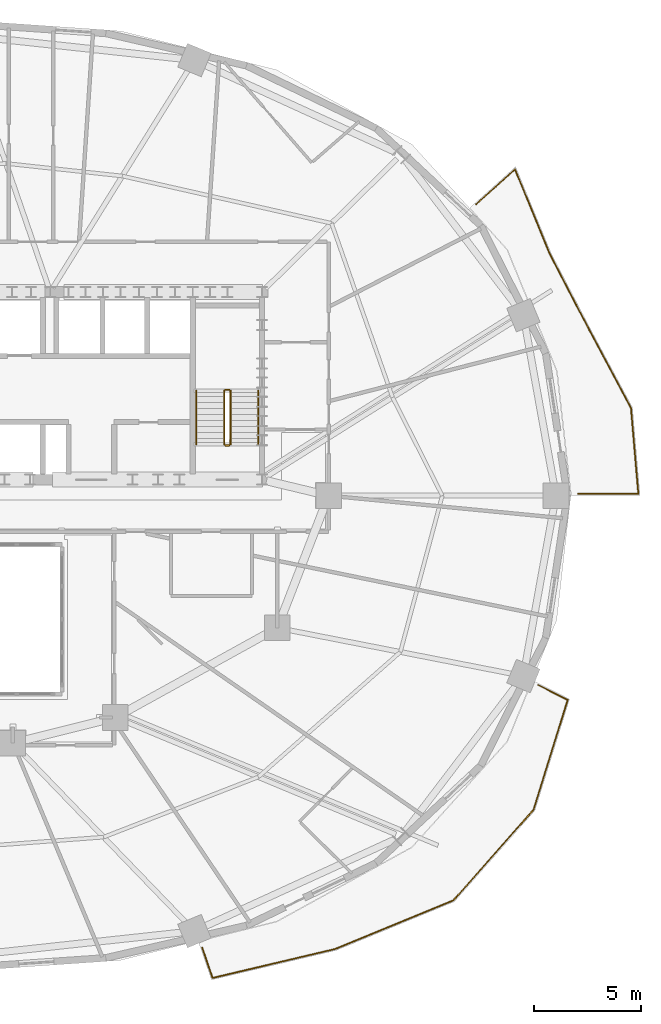
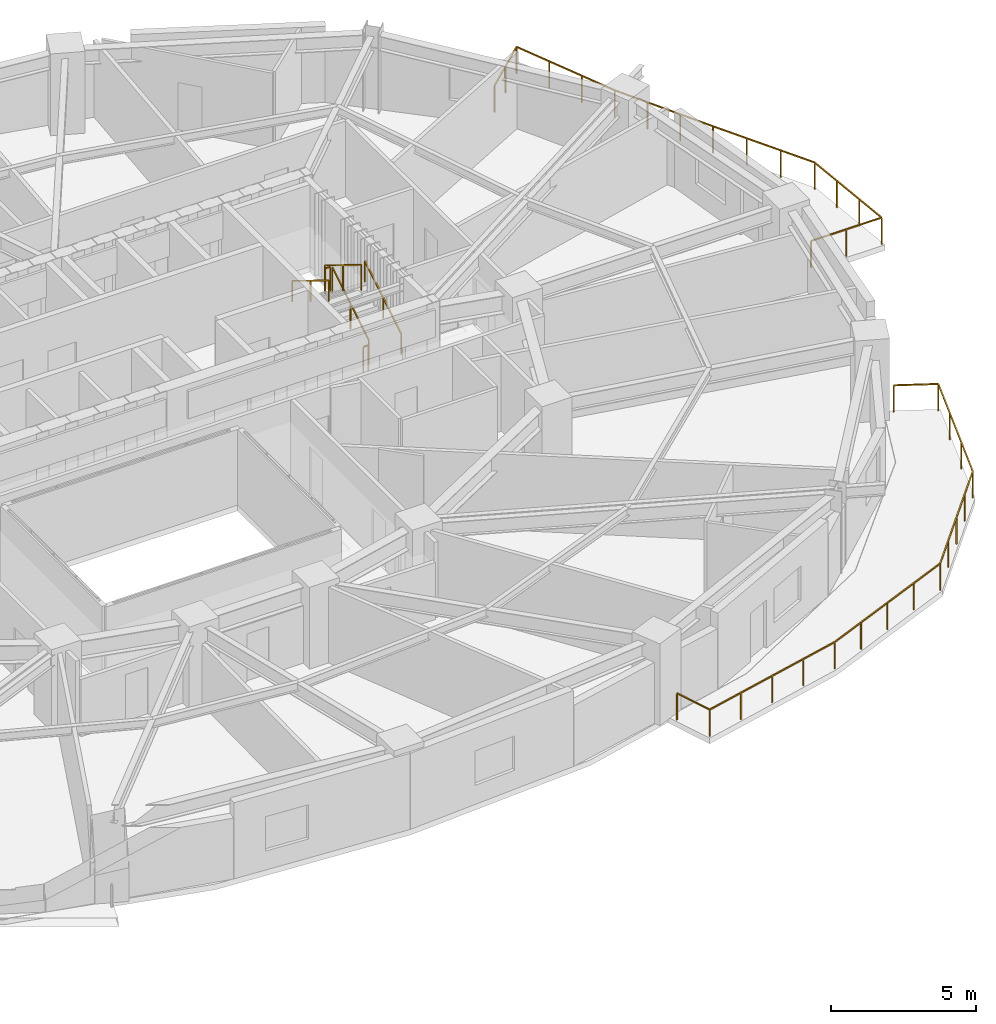
# One storey, part 14 of 14: 8 railings.
"""IFC4 building model written with IfcOpenShell, lengths in metres."""

from ifc_helpers import new_model, si_unit, direction, frame, origin, origin_2d, place, context, subcontext, project, spatial, rectangle, extrude, material, type_object, element, save


model = new_model("IFC4")

# Units and contexts
model_context = context("Model", 3, precision=1e-05, world=origin(), true_north=direction((0.0, 1.0)))
body_context = subcontext(model_context, "Body", "Model", "MODEL_VIEW")
ifc_project = project(units=[si_unit("LENGTHUNIT", "METRE"), si_unit("AREAUNIT", "SQUARE_METRE"), si_unit("VOLUMEUNIT", "CUBIC_METRE"), si_unit("PLANEANGLEUNIT", "RADIAN"), si_unit("MASSUNIT", "GRAM", prefix="KILO")], contexts=[model_context])

# Site, building, storey
site_placement = place(None, origin())
site = spatial("IfcSite", under=ifc_project, at=site_placement, CompositionType="ELEMENT")
building_placement = place(site_placement, origin())
building = spatial("IfcBuilding", under=site, at=building_placement, Name="Haldorwick Loom Tower", CompositionType="ELEMENT")
storey_placement = place(building_placement, frame((0.0, 0.0, 99.050048828125)))
storey = spatial("IfcBuildingStorey", under=building, at=storey_placement, Name="L26", CompositionType="ELEMENT", Elevation=99.050048828125)

# Railings
ifc_material_1 = material(Name="Galvanized Steel CSA G40.21 350W", Category="steel")
railing_type_1 = type_object("IfcRailingType", Name="ARC-RLG-BAL115", PredefinedType="BALUSTRADE", material=ifc_material_1)
railing_1_placement = place(storey_placement, frame((63.0283203125, 17.123291015625, 0.0)))
element("IfcRailing", 1, at=railing_1_placement, inside=storey, type_object=railing_type_1, Name="L26 Outdoor Terrace Guardrail SLB-L26-BAL_SE-1", PredefinedType="BALUSTRADE", context=body_context, shape_type="SweptSolid", body=[
    extrude(rectangle(XDim=0.048095703125, YDim=0.048095703125, at=origin_2d()), frame((0.0, 0.0, 1.1259765625), z_axis=(0.8919159442, -0.452201225652, 0.0), x_axis=(0.452201225652, 0.8919159442, 0.0)), (0.0, 0.0, 1.0), 1.544677734375),
    extrude(rectangle(XDim=0.048095703125, YDim=0.048095703125, at=origin_2d()), frame((1.377685546875, -0.698486328125, 1.1259765625), z_axis=(-0.296601426809, -0.955001357913, 0.0), x_axis=(0.955001357913, -0.296601426809, 0.0)), (0.0, 0.0, 1.0), 5.392333984375),
    extrude(rectangle(XDim=0.048095703125, YDim=0.048095703125, at=origin_2d()), frame((-0.2216796875, -5.84814453125, 1.1259765625), z_axis=(-0.662162917126, -0.749359907644, 0.0), x_axis=(0.749359907644, -0.662162917126, 0.0)), (0.0, 0.0, 1.0), 5.6669921875),
    extrude(rectangle(XDim=0.048095703125, YDim=0.048095703125, at=origin_2d()), frame((-3.97412109375, -10.0947265625, 1.1259765625), z_axis=(-0.924562095915, -0.381031403952, 0.0), x_axis=(0.381031403952, -0.924562095915, 0.0)), (0.0, 0.0, 1.0), 5.9736328125),
    extrude(rectangle(XDim=0.048095703125, YDim=0.048095703125, at=origin_2d()), frame((-9.4970703125, -12.370849609375, 1.1259765625), z_axis=(-0.973168865287, -0.230092067739, 0.0), x_axis=(0.230092067739, -0.973168865287, 0.0)), (0.0, 0.0, 1.0), 5.932373046875),
    extrude(rectangle(XDim=0.048095703125, YDim=0.048095703125, at=origin_2d()), frame((-15.270263671875, -13.73583984375, 1.1259765625), z_axis=(-0.322571147771, 0.946545220592, 0.0), x_axis=(-0.946545220592, -0.322571147771, 0.0)), (0.0, 0.0, 1.0), 1.499267578125),
    extrude(rectangle(XDim=0.0419921875, YDim=0.0419921875, at=origin_2d()), origin(), (0.0, 0.0, 1.0), 1.101806640625),
    extrude(rectangle(XDim=0.0419921875, YDim=0.0419921875, at=origin_2d()), frame((1.377685546875, -0.698486328125, 0.0)), (0.0, 0.0, 1.0), 1.101806640625),
    extrude(rectangle(XDim=0.0419921875, YDim=0.0419921875, at=origin_2d()), frame((0.844482421875, -2.4150390625, 0.0)), (0.0, 0.0, 1.0), 1.101806640625),
    extrude(rectangle(XDim=0.0419921875, YDim=0.0419921875, at=origin_2d()), frame((0.3115234375, -4.131591796875, 0.0)), (0.0, 0.0, 1.0), 1.101806640625),
    extrude(rectangle(XDim=0.0419921875, YDim=0.0419921875, at=origin_2d()), frame((-0.2216796875, -5.84814453125, 0.0)), (0.0, 0.0, 1.0), 1.101806640625),
    extrude(rectangle(XDim=0.0419921875, YDim=0.0419921875, at=origin_2d()), frame((-1.15966796875, -6.90966796875, 0.0)), (0.0, 0.0, 1.0), 1.101806640625),
    extrude(rectangle(XDim=0.0419921875, YDim=0.0419921875, at=origin_2d()), frame((-2.097900390625, -7.971435546875, 0.0)), (0.0, 0.0, 1.0), 1.101806640625),
    extrude(rectangle(XDim=0.0419921875, YDim=0.0419921875, at=origin_2d()), frame((-3.0361328125, -9.033203125, 0.0)), (0.0, 0.0, 1.0), 1.101806640625),
    extrude(rectangle(XDim=0.0419921875, YDim=0.0419921875, at=origin_2d()), frame((-3.97412109375, -10.0947265625, 0.0)), (0.0, 0.0, 1.0), 1.101806640625),
    extrude(rectangle(XDim=0.0419921875, YDim=0.0419921875, at=origin_2d()), frame((-5.35498046875, -10.663818359375, 0.0)), (0.0, 0.0, 1.0), 1.101806640625),
    extrude(rectangle(XDim=0.0419921875, YDim=0.0419921875, at=origin_2d()), frame((-6.735595703125, -11.23291015625, 0.0)), (0.0, 0.0, 1.0), 1.101806640625),
    extrude(rectangle(XDim=0.0419921875, YDim=0.0419921875, at=origin_2d()), frame((-8.1162109375, -11.8017578125, 0.0)), (0.0, 0.0, 1.0), 1.101806640625),
    extrude(rectangle(XDim=0.0419921875, YDim=0.0419921875, at=origin_2d()), frame((-9.4970703125, -12.370849609375, 0.0)), (0.0, 0.0, 1.0), 1.101806640625),
    extrude(rectangle(XDim=0.0419921875, YDim=0.0419921875, at=origin_2d()), frame((-10.9404296875, -12.712158203125, 0.0)), (0.0, 0.0, 1.0), 1.101806640625),
    extrude(rectangle(XDim=0.0419921875, YDim=0.0419921875, at=origin_2d()), frame((-12.3837890625, -13.05322265625, 0.0)), (0.0, 0.0, 1.0), 1.101806640625),
    extrude(rectangle(XDim=0.0419921875, YDim=0.0419921875, at=origin_2d()), frame((-13.826904296875, -13.39453125, 0.0)), (0.0, 0.0, 1.0), 1.101806640625),
    extrude(rectangle(XDim=0.0419921875, YDim=0.0419921875, at=origin_2d()), frame((-15.270263671875, -13.73583984375, 0.0)), (0.0, 0.0, 1.0), 1.101806640625),
    extrude(rectangle(XDim=0.0419921875, YDim=0.0419921875, at=origin_2d()), frame((-15.75390625, -12.316650390625, 0.0)), (0.0, 0.0, 1.0), 1.101806640625),
])
railing_2_placement = place(storey_placement, frame((60.115966796875, 39.656494140625, 0.0)))
element("IfcRailing", 2, at=railing_2_placement, inside=storey, type_object=railing_type_1, Name="L26 Outdoor Terrace Guardrail SLB-L26-BAL_ENE-1", PredefinedType="BALUSTRADE", context=body_context, shape_type="SweptSolid", body=[
    extrude(rectangle(XDim=0.048095703125, YDim=0.048095703125, at=origin_2d()), frame((0.0, 0.0, 1.1259765625), z_axis=(0.74337337644, 0.66887668759, 0.0), x_axis=(-0.66887668759, 0.74337337644, 0.0)), (0.0, 0.0, 1.0), 2.451416015625),
    extrude(rectangle(XDim=0.048095703125, YDim=0.048095703125, at=origin_2d()), frame((1.822265625, 1.6396484375, 1.1259765625), z_axis=(0.380081716568, -0.924952911629, 0.0), x_axis=(0.924952911629, 0.380081716568, 0.0)), (0.0, 0.0, 1.0), 4.283203125),
    extrude(rectangle(XDim=0.048095703125, YDim=0.048095703125, at=origin_2d()), frame((3.4501953125, -2.322021484375, 1.1259765625), z_axis=(0.406138466053, -0.91381154862, 0.0), x_axis=(0.91381154862, 0.406138466053, 0.0)), (0.0, 0.0, 1.0), 0.00732421875),
    extrude(rectangle(XDim=0.048095703125, YDim=0.048095703125, at=origin_2d()), frame((3.453125, -2.32861328125, 1.1259765625), z_axis=(0.460848353345, -0.887478898464, 0.0), x_axis=(0.887478898464, 0.460848353345, 0.0)), (0.0, 0.0, 1.0), 4.024169921875),
    extrude(rectangle(XDim=0.048095703125, YDim=0.048095703125, at=origin_2d()), frame((5.3076171875, -5.89990234375, 1.1259765625), z_axis=(0.707106781187, -0.707106781187, 0.0), x_axis=(0.707106781187, 0.707106781187, 0.0)), (0.0, 0.0, 1.0), 0.0009765625),
    extrude(rectangle(XDim=0.048095703125, YDim=0.048095703125, at=origin_2d()), frame((5.308349609375, -5.900634765625, 1.1259765625), z_axis=(0.471888426773, -0.88165827432, 0.0), x_axis=(0.88165827432, 0.471888426773, 0.0)), (0.0, 0.0, 1.0), 4.130615234375),
    extrude(rectangle(XDim=0.048095703125, YDim=0.048095703125, at=origin_2d()), frame((7.257568359375, -9.54248046875, 1.1259765625), z_axis=(0.08568504214, -0.996322273942, 0.0), x_axis=(0.996322273942, 0.08568504214, 0.0)), (0.0, 0.0, 1.0), 4.048828125),
    extrude(rectangle(XDim=0.048095703125, YDim=0.048095703125, at=origin_2d()), frame((7.6044921875, -13.576416015625, 1.1259765625), z_axis=(-1.0, 0.0, 0.0), x_axis=(0.0, -1.0, 0.0)), (0.0, 0.0, 1.0), 2.819580078125),
    extrude(rectangle(XDim=0.0419921875, YDim=0.0419921875, at=origin_2d()), origin(), (0.0, 0.0, 1.0), 1.101806640625),
    extrude(rectangle(XDim=0.0419921875, YDim=0.0419921875, at=origin_2d()), frame((0.9111328125, 0.81982421875, 0.0)), (0.0, 0.0, 1.0), 1.101806640625),
    extrude(rectangle(XDim=0.0419921875, YDim=0.0419921875, at=origin_2d()), frame((1.822265625, 1.6396484375, 0.0)), (0.0, 0.0, 1.0), 1.101806640625),
    extrude(rectangle(XDim=0.0419921875, YDim=0.0419921875, at=origin_2d()), frame((2.364990234375, 0.319091796875, 0.0)), (0.0, 0.0, 1.0), 1.101806640625),
    extrude(rectangle(XDim=0.0419921875, YDim=0.0419921875, at=origin_2d()), frame((2.907470703125, -1.00146484375, 0.0)), (0.0, 0.0, 1.0), 1.101806640625),
    extrude(rectangle(XDim=0.0419921875, YDim=0.0419921875, at=origin_2d()), frame((3.4501953125, -2.322021484375, 0.0)), (0.0, 0.0, 1.0), 1.101806640625),
    extrude(rectangle(XDim=0.0419921875, YDim=0.0419921875, at=origin_2d()), frame((4.0712890625, -3.51904296875, 0.0)), (0.0, 0.0, 1.0), 1.101806640625),
    extrude(rectangle(XDim=0.0419921875, YDim=0.0419921875, at=origin_2d()), frame((4.689453125, -4.70947265625, 0.0)), (0.0, 0.0, 1.0), 1.101806640625),
    extrude(rectangle(XDim=0.0419921875, YDim=0.0419921875, at=origin_2d()), frame((5.3076171875, -5.89990234375, 0.0)), (0.0, 0.0, 1.0), 1.101806640625),
    extrude(rectangle(XDim=0.0419921875, YDim=0.0419921875, at=origin_2d()), frame((5.9580078125, -7.114501953125, 0.0)), (0.0, 0.0, 1.0), 1.101806640625),
    extrude(rectangle(XDim=0.0419921875, YDim=0.0419921875, at=origin_2d()), frame((6.60791015625, -8.32861328125, 0.0)), (0.0, 0.0, 1.0), 1.101806640625),
    extrude(rectangle(XDim=0.0419921875, YDim=0.0419921875, at=origin_2d()), frame((7.257568359375, -9.54248046875, 0.0)), (0.0, 0.0, 1.0), 1.101806640625),
    extrude(rectangle(XDim=0.0419921875, YDim=0.0419921875, at=origin_2d()), frame((7.373291015625, -10.88720703125, 0.0)), (0.0, 0.0, 1.0), 1.101806640625),
    extrude(rectangle(XDim=0.0419921875, YDim=0.0419921875, at=origin_2d()), frame((7.48876953125, -12.231689453125, 0.0)), (0.0, 0.0, 1.0), 1.101806640625),
    extrude(rectangle(XDim=0.0419921875, YDim=0.0419921875, at=origin_2d()), frame((7.6044921875, -13.576416015625, 0.0)), (0.0, 0.0, 1.0), 1.101806640625),
    extrude(rectangle(XDim=0.0419921875, YDim=0.0419921875, at=origin_2d()), frame((6.19482421875, -13.576416015625, 0.0)), (0.0, 0.0, 1.0), 1.101806640625),
    extrude(rectangle(XDim=0.0419921875, YDim=0.0419921875, at=origin_2d()), frame((4.784912109375, -13.576416015625, 0.0)), (0.0, 0.0, 1.0), 1.101806640625),
])
ifc_material_2 = material(Name="Steel CSA G40.21 350W", Category="steel")
railing_type_2 = type_object("IfcRailingType", Name="ARC-RLG-GUARD112", PredefinedType="GUARDRAIL", material=ifc_material_2)
railing_3_placement = place(storey_placement, frame((48.60009765625, 28.39990234375, 0.17236328125)))
element("IfcRailing", 3, at=railing_3_placement, inside=storey, type_object=railing_type_2, Name="L26 ST-02 stair guard 1", PredefinedType="GUARDRAIL", context=body_context, shape_type="SweptSolid", body=[
    extrude(rectangle(XDim=0.048095703125, YDim=0.048095703125, at=origin_2d()), frame((0.0, 0.0, 1.076171875), z_axis=(0.0, 0.851400495292, 0.524516154772), x_axis=(-1.0, 0.0, 0.0)), (0.0, 0.0, 1.0), 2.9599609375),
    extrude(rectangle(XDim=0.0419921875, YDim=0.0419921875, at=origin_2d()), origin(), (0.0, 0.0, 1.0), 1.052001953125),
    extrude(rectangle(XDim=0.0419921875, YDim=0.0419921875, at=origin_2d()), frame((0.0, 1.260009765625, 0.7763671875)), (0.0, 0.0, 1.0), 1.052001953125),
    extrude(rectangle(XDim=0.0419921875, YDim=0.0419921875, at=origin_2d()), frame((0.0, 2.52001953125, 1.552490234375)), (0.0, 0.0, 1.0), 1.052001953125),
])
railing_4_placement = place(storey_placement, frame((48.550048828125, 30.969970703125, 1.724853515625)))
element("IfcRailing", 4, at=railing_4_placement, inside=storey, type_object=railing_type_2, Name="L26 ST-02 stair guard 2", PredefinedType="GUARDRAIL", context=body_context, shape_type="SweptSolid", body=[
    extrude(rectangle(XDim=0.048095703125, YDim=0.048095703125, at=origin_2d()), frame((0.0, 0.0, 1.076171875), z_axis=(-1.0, 0.0, 0.0), x_axis=(0.0, -1.0, 0.0)), (0.0, 0.0, 1.0), 0.199951171875),
    extrude(rectangle(XDim=0.0419921875, YDim=0.0419921875, at=origin_2d()), origin(), (0.0, 0.0, 1.0), 1.052001953125),
    extrude(rectangle(XDim=0.0419921875, YDim=0.0419921875, at=origin_2d()), frame((-0.199951171875, 0.0, 0.0)), (0.0, 0.0, 1.0), 1.052001953125),
])
railing_5_placement = place(storey_placement, frame((48.300048828125, 30.919921875, 1.8974609375)))
element("IfcRailing", 5, at=railing_5_placement, inside=storey, type_object=railing_type_2, Name="L26 ST-02 stair guard 3", PredefinedType="GUARDRAIL", context=body_context, shape_type="SweptSolid", body=[
    extrude(rectangle(XDim=0.048095703125, YDim=0.048095703125, at=origin_2d()), frame((0.0, 0.0, 1.076171875), z_axis=(0.0, -0.851400495292, 0.524516154772), x_axis=(1.0, 0.0, 0.0)), (0.0, 0.0, 1.0), 2.9599609375),
    extrude(rectangle(XDim=0.0419921875, YDim=0.0419921875, at=origin_2d()), origin(), (0.0, 0.0, 1.0), 1.052001953125),
    extrude(rectangle(XDim=0.0419921875, YDim=0.0419921875, at=origin_2d()), frame((0.0, -1.260009765625, 0.7763671875)), (0.0, 0.0, 1.0), 1.052001953125),
    extrude(rectangle(XDim=0.0419921875, YDim=0.0419921875, at=origin_2d()), frame((0.0, -2.52001953125, 1.552490234375)), (0.0, 0.0, 1.0), 1.052001953125),
])
railing_6_placement = place(storey_placement, frame((48.550048828125, 28.35009765625, 0.0)))
element("IfcRailing", 6, at=railing_6_placement, inside=storey, type_object=railing_type_2, Name="L26 ST-02 stair guard 4", PredefinedType="GUARDRAIL", context=body_context, shape_type="SweptSolid", body=[
    extrude(rectangle(XDim=0.048095703125, YDim=0.048095703125, at=origin_2d()), frame((0.0, 0.0, 1.076171875), z_axis=(-1.0, 0.0, 0.0), x_axis=(0.0, -1.0, 0.0)), (0.0, 0.0, 1.0), 0.199951171875),
    extrude(rectangle(XDim=0.0419921875, YDim=0.0419921875, at=origin_2d()), origin(), (0.0, 0.0, 1.0), 1.052001953125),
    extrude(rectangle(XDim=0.0419921875, YDim=0.0419921875, at=origin_2d()), frame((-0.199951171875, 0.0, 0.0)), (0.0, 0.0, 1.0), 1.052001953125),
])
railing_type_3 = type_object("IfcRailingType", Name="ARC-RLG-HAND092", PredefinedType="HANDRAIL", material=ifc_material_2)
railing_7_placement = place(storey_placement, frame((49.89990234375, 28.39990234375, 0.17236328125)))
element("IfcRailing", 7, at=railing_7_placement, inside=storey, type_object=railing_type_3, Name="L26 ST-02 stair handrail 1", PredefinedType="HANDRAIL", context=body_context, shape_type="SweptSolid", body=[
    extrude(rectangle(XDim=0.048095703125, YDim=0.048095703125, at=origin_2d()), frame((0.0, 0.0, 0.8759765625), z_axis=(0.0, 0.851400495292, 0.524516154772), x_axis=(-1.0, 0.0, 0.0)), (0.0, 0.0, 1.0), 2.9599609375),
    extrude(rectangle(XDim=0.0419921875, YDim=0.0419921875, at=origin_2d()), origin(), (0.0, 0.0, 1.0), 0.851806640625),
    extrude(rectangle(XDim=0.0419921875, YDim=0.0419921875, at=origin_2d()), frame((0.0, 1.260009765625, 0.7763671875)), (0.0, 0.0, 1.0), 0.851806640625),
    extrude(rectangle(XDim=0.0419921875, YDim=0.0419921875, at=origin_2d()), frame((0.0, 2.52001953125, 1.552490234375)), (0.0, 0.0, 1.0), 0.851806640625),
])
railing_8_placement = place(storey_placement, frame((47.0, 30.919921875, 1.8974609375)))
element("IfcRailing", 8, at=railing_8_placement, inside=storey, type_object=railing_type_3, Name="L26 ST-02 stair handrail 2", PredefinedType="HANDRAIL", context=body_context, shape_type="SweptSolid", body=[
    extrude(rectangle(XDim=0.048095703125, YDim=0.048095703125, at=origin_2d()), frame((0.0, 0.0, 0.8759765625), z_axis=(0.0, -0.851400495292, 0.524516154772), x_axis=(1.0, 0.0, 0.0)), (0.0, 0.0, 1.0), 2.9599609375),
    extrude(rectangle(XDim=0.0419921875, YDim=0.0419921875, at=origin_2d()), origin(), (0.0, 0.0, 1.0), 0.851806640625),
    extrude(rectangle(XDim=0.0419921875, YDim=0.0419921875, at=origin_2d()), frame((0.0, -1.260009765625, 0.7763671875)), (0.0, 0.0, 1.0), 0.851806640625),
    extrude(rectangle(XDim=0.0419921875, YDim=0.0419921875, at=origin_2d()), frame((0.0, -2.52001953125, 1.552490234375)), (0.0, 0.0, 1.0), 0.851806640625),
])

save(model, "model.ifc")
